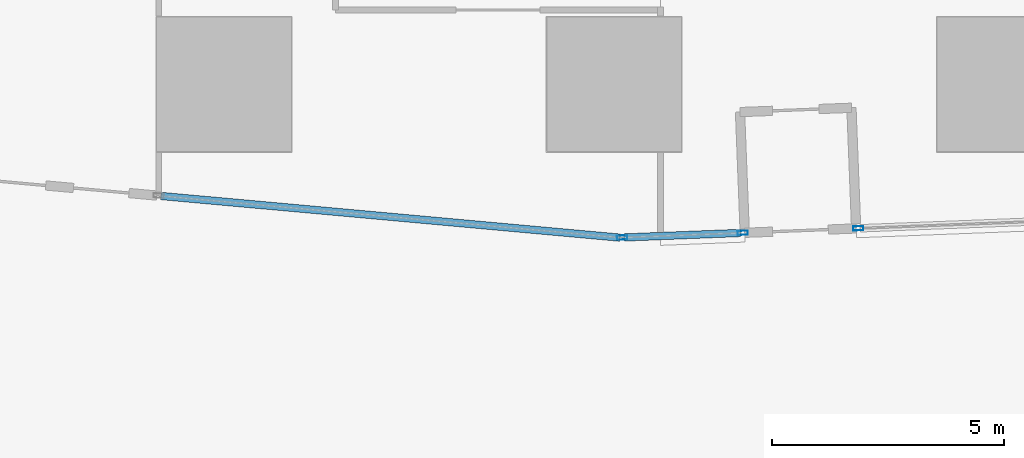
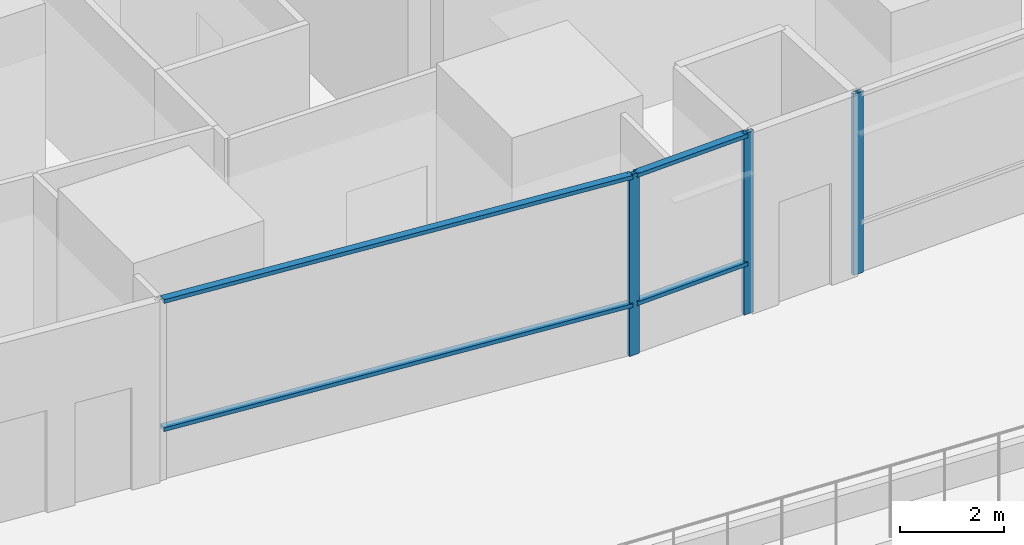
# One storey, part 3 of 44: 7 members, 3 elements without a shape of their own.
"""IFC4 building model written with IfcOpenShell, lengths in metres."""

from ifc_helpers import new_model, si_unit, direction, frame, origin, origin_2d, place, context, subcontext, project, spatial, hollow_rectangle, extrude, material, material_profile, profile_set, type_object, element, aggregate, save


model = new_model("IFC4")

# Units and contexts
model_context = context("Model", 3, precision=1e-05, world=origin(), true_north=direction((0.0, 1.0)))
body_context = subcontext(model_context, "Body", "Model", "MODEL_VIEW")
ifc_project = project(units=[si_unit("LENGTHUNIT", "METRE"), si_unit("AREAUNIT", "SQUARE_METRE"), si_unit("VOLUMEUNIT", "CUBIC_METRE"), si_unit("PLANEANGLEUNIT", "RADIAN"), si_unit("MASSUNIT", "GRAM", prefix="KILO")], contexts=[model_context])

# Site, building, storey
site_placement = place(None, origin())
site = spatial("IfcSite", under=ifc_project, at=site_placement, CompositionType="ELEMENT")
building_placement = place(site_placement, origin())
building = spatial("IfcBuilding", under=site, at=building_placement, Name="Rekha Terrace Tower", CompositionType="ELEMENT")
storey_placement = place(building_placement, frame((0.0, 0.0, 90.800048828125)))
storey = spatial("IfcBuildingStorey", under=building, at=storey_placement, Name="L22", CompositionType="ELEMENT", Elevation=90.800048828125)

# Curtain wall, members
ifc_material_1 = material(Name="Aluminium framing", Category="aluminium")
curtain_wall_type = type_object("IfcCurtainWallType", Name="CW5 sky garden glazing", PredefinedType="USERDEFINED", material=ifc_material_1)
curtain_wall_1_placement = place(storey_placement, origin())
curtain_wall_1 = element("IfcCurtainWall", 1, at=curtain_wall_1_placement, inside=storey, type_object=curtain_wall_type, Name="CW5 sky garden curtain wall", ObjectType="SKY GARDEN CURTAIN WALL", PredefinedType="USERDEFINED")
ifc_material_2 = material(Name="Aluminium mullion section", Category="aluminium")
ifc_material_profile_1 = material_profile(ifc_material_2, hollow_rectangle(XDim=0.090087890625, YDim=0.219970703125, WallThickness=0.00390625, at=origin_2d()), Name="AL RHS 90x220")
ifc_profile_set_1 = profile_set([ifc_material_profile_1], Name="Aluminium mullion section")
member_type_1 = type_object("IfcMemberType", Name="CW5 mullion RHS 90 x 220", PredefinedType="MULLION", material=ifc_profile_set_1)
member_1_placement = place(storey_placement, frame((25.3701171875, 13.502197265625, 0.0), z_axis=(0.0, 0.0, 1.0), x_axis=(-0.038889971101, 0.999243498927, 0.0)))
member_1 = element("IfcMember", 2, at=member_1_placement, type_object=member_type_1, Name="CW5 mullion 1", PredefinedType="MULLION", context=body_context, shape_type="SweptSolid", body=[
    extrude(hollow_rectangle(XDim=0.090087890625, YDim=0.219970703125, WallThickness=0.00390625, at=origin_2d()), origin(), (0.0, 0.0, 1.0), 4.25),
])
member_2_placement = place(storey_placement, frame((27.96533203125, 13.60302734375, 0.0), z_axis=(0.0, 0.0, 1.0), x_axis=(-0.038889971101, 0.999243498927, 0.0)))
member_2 = element("IfcMember", 3, at=member_2_placement, type_object=member_type_1, Name="CW5 mullion 2", PredefinedType="MULLION", context=body_context, shape_type="SweptSolid", body=[
    extrude(hollow_rectangle(XDim=0.090087890625, YDim=0.219970703125, WallThickness=0.00390625, at=origin_2d()), origin(), (0.0, 0.0, 1.0), 4.25),
])

# Curtain wall, member
curtain_wall_2_placement = place(storey_placement, origin())
curtain_wall_2 = element("IfcCurtainWall", 4, at=curtain_wall_2_placement, inside=storey, type_object=curtain_wall_type, Name="CW5 sky garden curtain wall", ObjectType="SKY GARDEN CURTAIN WALL", PredefinedType="USERDEFINED")
member_3_placement = place(storey_placement, frame((30.453369140625, 13.699951171875, 0.0), z_axis=(0.0, 0.0, 1.0), x_axis=(-0.038889971328, 0.999243498918, 0.0)))
member_3 = element("IfcMember", 5, at=member_3_placement, type_object=member_type_1, Name="CW5 mullion 1", PredefinedType="MULLION", context=body_context, shape_type="SweptSolid", body=[
    extrude(hollow_rectangle(XDim=0.090087890625, YDim=0.219970703125, WallThickness=0.00390625, at=origin_2d()), origin(), (0.0, 0.0, 1.0), 4.25),
])
aggregate(curtain_wall_2, [member_3])

# Curtain wall, members
curtain_wall_3_placement = place(storey_placement, origin())
curtain_wall_3 = element("IfcCurtainWall", 6, at=curtain_wall_3_placement, inside=storey, type_object=curtain_wall_type, Name="CW5 sky garden curtain wall", ObjectType="SKY GARDEN CURTAIN WALL", PredefinedType="USERDEFINED")
ifc_material_3 = material(Name="Aluminium transom section", Category="aluminium")
ifc_material_profile_2 = material_profile(ifc_material_3, hollow_rectangle(XDim=0.159912109375, YDim=0.090087890625, WallThickness=0.0029296875, at=origin_2d()), Name="AL RHS 160x90")
ifc_profile_set_2 = profile_set([ifc_material_profile_2], Name="Aluminium transom section")
member_type_2 = type_object("IfcMemberType", Name="CW5 transom RHS 90 x 160", PredefinedType="USERDEFINED", material=ifc_profile_set_2)
member_4_placement = place(storey_placement, frame((15.443115234375, 14.397705078125, 1.199951171875), z_axis=(0.995901470916, -0.090444791044, 0.0), x_axis=(0.090444791044, 0.995901470916, 0.0)))
member_4 = element("IfcMember", 7, at=member_4_placement, type_object=member_type_2, Name="CW5 transom 1.2", ObjectType="TRANSOM", PredefinedType="USERDEFINED", context=body_context, shape_type="SweptSolid", body=[
    extrude(hollow_rectangle(XDim=0.159912109375, YDim=0.090087890625, WallThickness=0.0029296875, at=origin_2d()), origin(), (0.0, 0.0, 1.0), 9.9228515625),
])
member_5_placement = place(storey_placement, frame((15.443115234375, 14.397705078125, 4.204833984375), z_axis=(0.995901470916, -0.090444791044, 0.0), x_axis=(0.090444791044, 0.995901470916, 0.0)))
member_5 = element("IfcMember", 8, at=member_5_placement, type_object=member_type_2, Name="CW5 transom 1.3", ObjectType="TRANSOM", PredefinedType="USERDEFINED", context=body_context, shape_type="SweptSolid", body=[
    extrude(hollow_rectangle(XDim=0.159912109375, YDim=0.090087890625, WallThickness=0.0029296875, at=origin_2d()), origin(), (0.0, 0.0, 1.0), 9.9228515625),
])
aggregate(curtain_wall_3, [member_4, member_5])

# Member
member_6_placement = place(storey_placement, frame((25.4150390625, 13.50390625, 1.199951171875), z_axis=(0.999244830824, 0.03885573409, 0.0), x_axis=(-0.03885573409, 0.999244830824, 0.0)))
member_6 = element("IfcMember", 9, at=member_6_placement, type_object=member_type_2, Name="CW5 transom 1.2", ObjectType="TRANSOM", PredefinedType="USERDEFINED", context=body_context, shape_type="SweptSolid", body=[
    extrude(hollow_rectangle(XDim=0.159912109375, YDim=0.090087890625, WallThickness=0.0029296875, at=origin_2d()), origin(), (0.0, 0.0, 1.0), 2.507080078125),
])

member_7_placement = place(storey_placement, frame((25.4150390625, 13.50390625, 4.204833984375), z_axis=(0.999244830824, 0.03885573409, 0.0), x_axis=(-0.03885573409, 0.999244830824, 0.0)))
member_7 = element("IfcMember", 10, at=member_7_placement, type_object=member_type_2, Name="CW5 transom 1.3", ObjectType="TRANSOM", PredefinedType="USERDEFINED", context=body_context, shape_type="SweptSolid", body=[
    extrude(hollow_rectangle(XDim=0.159912109375, YDim=0.090087890625, WallThickness=0.0029296875, at=origin_2d()), origin(), (0.0, 0.0, 1.0), 2.507080078125),
])

aggregate(curtain_wall_1, [member_1, member_2, member_6, member_7])

save(model, "model.ifc")
